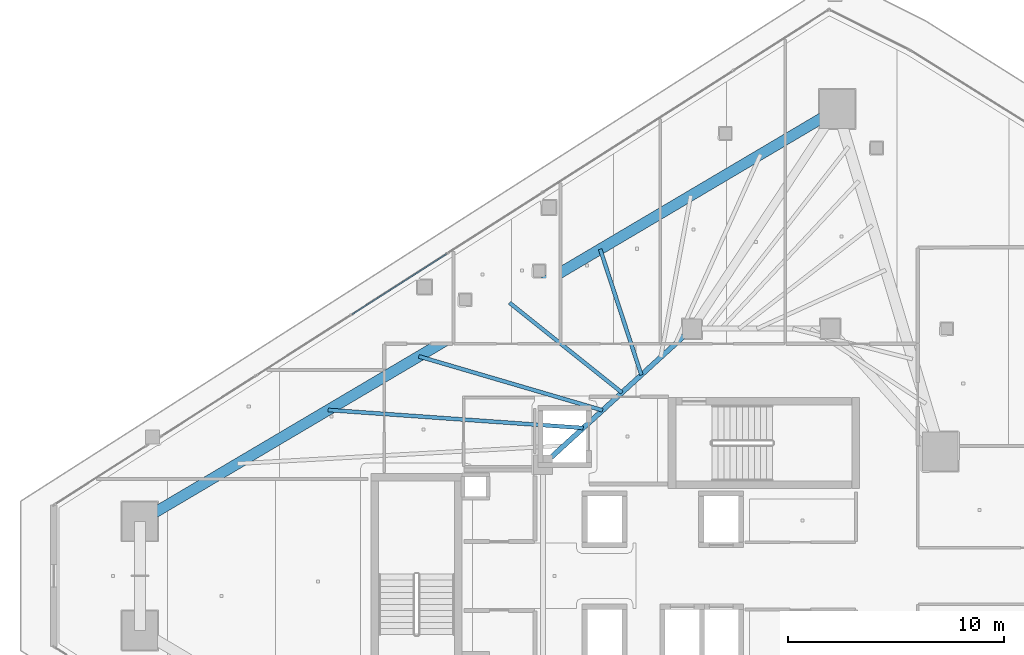
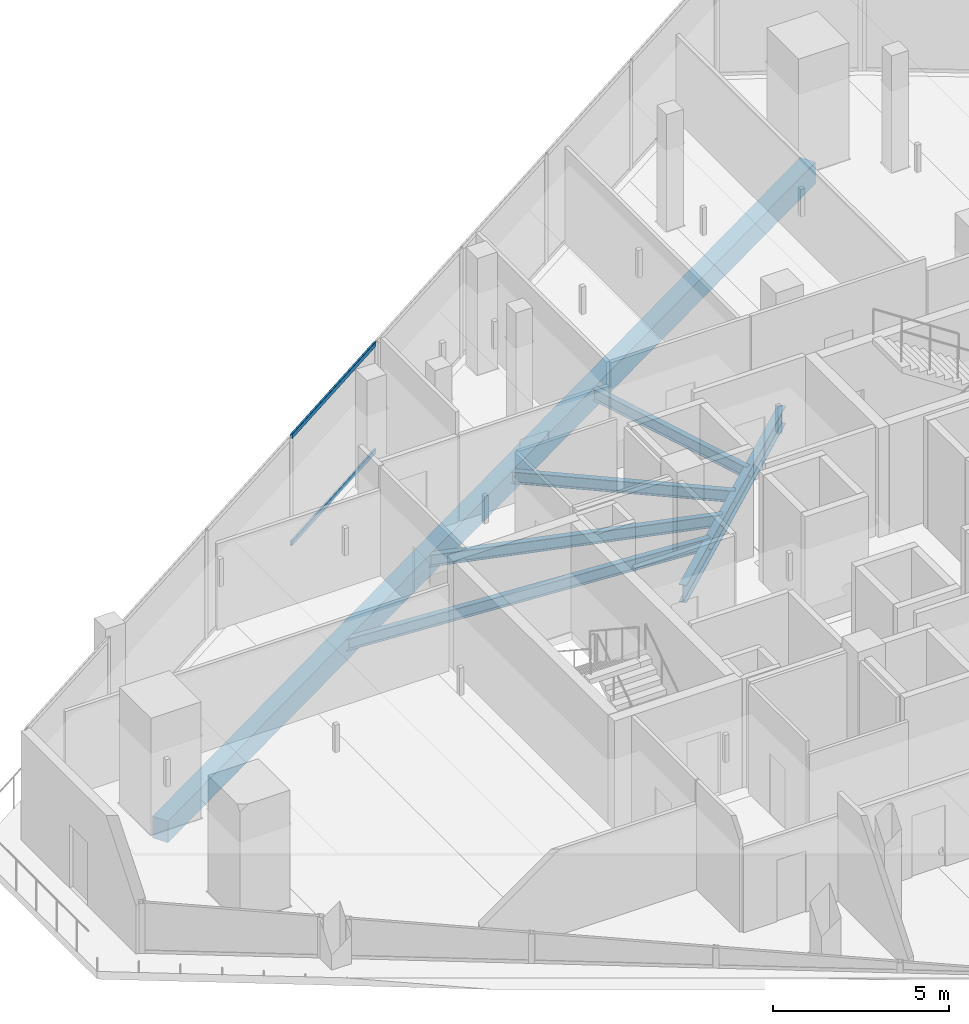
# One storey, part 14 of 33: 6 beams, 2 members, 1 element without a shape of its own.
"""IFC4 building model written with IfcOpenShell, lengths in metres."""

from ifc_helpers import new_model, si_unit, direction, frame, origin, origin_2d, place, context, subcontext, project, spatial, rectangle, hollow_rectangle, i_section, extrude, material, layer, layer_set, material_profile, profile_set, type_object, element, aggregate, save


model = new_model("IFC4")

# Units and contexts
model_context = context("Model", 3, precision=1e-05, world=origin(), true_north=direction((0.0, 1.0)))
body_context = subcontext(model_context, "Body", "Model", "MODEL_VIEW")
ifc_project = project(units=[si_unit("LENGTHUNIT", "METRE"), si_unit("AREAUNIT", "SQUARE_METRE"), si_unit("VOLUMEUNIT", "CUBIC_METRE"), si_unit("PLANEANGLEUNIT", "RADIAN"), si_unit("MASSUNIT", "GRAM", prefix="KILO")], contexts=[model_context])

# Site, building, storey
site_placement = place(None, origin())
site = spatial("IfcSite", under=ifc_project, at=site_placement, CompositionType="ELEMENT")
building_placement = place(site_placement, origin())
building = spatial("IfcBuilding", under=site, at=building_placement, Name="Qorvath Tower", CompositionType="ELEMENT")
storey_placement = place(building_placement, frame((0.0, 0.0, 237.449951171875)))
storey = spatial("IfcBuildingStorey", under=building, at=storey_placement, Name="L55", CompositionType="ELEMENT", Elevation=237.449951171875)

# Beams
ifc_material_1 = material(Name="Steel ASTM A992 Grade 50", Category="steel")
ifc_material_profile_1 = material_profile(ifc_material_1, i_section(OverallWidth=0.22998046875, OverallDepth=0.616943359375, WebThickness=0.01318359375, FlangeThickness=0.022216796875, FilletRadius=0.014892578125, at=origin_2d()), Name="W24x94")
ifc_profile_set_1 = profile_set([ifc_material_profile_1], Name="Steel ASTM A992 Grade 50")
beam_type_1 = type_object("IfcBeamType", Name="BM-FG6", PredefinedType="BEAM", material=ifc_profile_set_1)
beam_1_placement = place(storey_placement, frame((-30.5, 5.14990234375, -0.57861328125), z_axis=(0.73847813985, 0.6742774184, 0.0), x_axis=(-0.6742774184, 0.73847813985, 0.0)))
element("IfcBeam", 1, at=beam_1_placement, inside=storey, type_object=beam_type_1, Name="Core Ring Girder CC5-CC1 L55", PredefinedType="BEAM", context=body_context, shape_type="SweptSolid", body=[
    extrude(i_section(OverallWidth=0.22998046875, OverallDepth=0.616943359375, WebThickness=0.01318359375, FlangeThickness=0.022216796875, FilletRadius=0.014892578125, at=origin_2d()), origin(), (0.0, 0.0, 1.0), 9.343505859375),
])
ifc_material_2 = material(Name="Steel ASTM A992 Grade 50", Category="steel")
ifc_material_profile_2 = material_profile(ifc_material_2, i_section(OverallWidth=0.177978515625, OverallDepth=0.406005859375, WebThickness=0.0078125, FlangeThickness=0.0126953125, FilletRadius=0.010986328125, at=origin_2d()), Name="W16x40")
ifc_profile_set_2 = profile_set([ifc_material_profile_2], Name="Steel ASTM A992 Grade 50")
beam_type_2 = type_object("IfcBeamType", Name="BM-FJ3", PredefinedType="JOIST", material=ifc_profile_set_2)
beam_2_placement = place(storey_placement, frame((-28.636962890625, 6.85107421875, -0.47314453125), z_axis=(-0.997520476731, 0.070376832146, 0.0), x_axis=(-0.070376832146, -0.997520476731, 0.0)))
element("IfcBeam", 2, at=beam_2_placement, inside=storey, type_object=beam_type_2, Name="Composite Floor Joist NW2 L55", PredefinedType="JOIST", context=body_context, shape_type="SweptSolid", body=[
    extrude(i_section(OverallWidth=0.177978515625, OverallDepth=0.406005859375, WebThickness=0.0078125, FlangeThickness=0.0126953125, FilletRadius=0.010986328125, at=origin_2d()), origin(), (0.0, 0.0, 1.0), 11.84326171875),
])
beam_3_placement = place(storey_placement, frame((-27.739990234375, 7.669921875, -0.47314453125), z_axis=(-0.959544992264, 0.281555337049, 0.0), x_axis=(-0.281555337049, -0.959544992264, 0.0)))
element("IfcBeam", 3, at=beam_3_placement, inside=storey, type_object=beam_type_2, Name="Composite Floor Joist NW3 L55", PredefinedType="JOIST", context=body_context, shape_type="SweptSolid", body=[
    extrude(i_section(OverallWidth=0.177978515625, OverallDepth=0.406005859375, WebThickness=0.0078125, FlangeThickness=0.0126953125, FilletRadius=0.010986328125, at=origin_2d()), origin(), (0.0, 0.0, 1.0), 8.87060546875),
])
beam_4_placement = place(storey_placement, frame((-26.843017578125, 8.489013671875, -0.47314453125), z_axis=(-0.781336553339, 0.624109918537, 0.0), x_axis=(-0.624109918537, -0.781336553339, 0.0)))
element("IfcBeam", 4, at=beam_4_placement, inside=storey, type_object=beam_type_2, Name="Composite Floor Joist NW4 L55", PredefinedType="JOIST", context=body_context, shape_type="SweptSolid", body=[
    extrude(i_section(OverallWidth=0.177978515625, OverallDepth=0.406005859375, WebThickness=0.0078125, FlangeThickness=0.0126953125, FilletRadius=0.010986328125, at=origin_2d()), origin(), (0.0, 0.0, 1.0), 6.667724609375),
])
beam_5_placement = place(storey_placement, frame((-25.946044921875, 9.30810546875, -0.47314453125), z_axis=(-0.311228747452, 0.950335028692, 0.0), x_axis=(-0.950335028692, -0.311228747452, 0.0)))
element("IfcBeam", 5, at=beam_5_placement, inside=storey, type_object=beam_type_2, Name="Composite Floor Joist NW5 L55", PredefinedType="JOIST", context=body_context, shape_type="SweptSolid", body=[
    extrude(i_section(OverallWidth=0.177978515625, OverallDepth=0.406005859375, WebThickness=0.0078125, FlangeThickness=0.0126953125, FilletRadius=0.010986328125, at=origin_2d()), origin(), (0.0, 0.0, 1.0), 6.129638671875),
])
ifc_material_3 = material(Name="Concrete C45/55", Category="concrete")
ifc_material_profile_3 = material_profile(ifc_material_3, rectangle(XDim=0.5, YDim=0.75, at=origin_2d()), Name="RCB 750x500")
ifc_profile_set_3 = profile_set([ifc_material_profile_3], Name="Concrete C45/55")
beam_type_3 = type_object("IfcBeamType", Name="BM-RCB3", PredefinedType="SPANDREL", material=ifc_profile_set_3)
beam_6_placement = place(storey_placement, frame((-16.87158203125, 21.627197265625, -0.64501953125), z_axis=(-0.860776759786, -0.50898268125, 0.0), x_axis=(0.50898268125, -0.860776759786, 0.0)))
element("IfcBeam", 6, at=beam_6_placement, inside=storey, type_object=beam_type_3, Name="Perimeter Loggia Frame Beam MC6-MC1 L55", PredefinedType="SPANDREL", context=body_context, shape_type="SweptSolid", body=[
    extrude(rectangle(XDim=0.5, YDim=0.75, at=origin_2d()), origin(), (0.0, 0.0, 1.0), 37.524658203125),
])

# Curtain wall, members
ifc_material_4 = material(Name="Anodised aluminium and triple low-E glass", Category="aluminium")
ifc_layer = layer(ifc_material_4, 0.179931640625)
ifc_layer_set = layer_set([ifc_layer], Name="CW-SYS-3")
curtain_wall_type = type_object("IfcCurtainWallType", Name="CW-SYS-3", PredefinedType="NOTDEFINED", material=ifc_layer_set)
curtain_wall_placement = place(storey_placement, origin())
curtain_wall = element("IfcCurtainWall", 7, at=curtain_wall_placement, inside=storey, type_object=curtain_wall_type, Name="Curtain Wall CW-3 CW-T-L55-16.1", PredefinedType="NOTDEFINED")
ifc_material_5 = material(Name="Anodised aluminium 6063-T6", Category="aluminium")
ifc_material_profile_4 = material_profile(ifc_material_5, hollow_rectangle(XDim=0.06494140625, YDim=0.159912109375, WallThickness=0.00341796875, InnerFilletRadius=0.00341796875, OuterFilletRadius=0.007080078125, at=origin_2d()), Name="CWT 160x65")
ifc_profile_set_4 = profile_set([ifc_material_profile_4], Name="Anodised aluminium 6063-T6")
member_type = type_object("IfcMemberType", Name="CWT-160", PredefinedType="USERDEFINED", material=ifc_profile_set_4)
member_1_placement = place(storey_placement, frame((-34.970947265625, 14.90771484375, 0.032470703125), z_axis=(-0.842606602471, -0.538529584584, 0.0), x_axis=(0.538529584584, -0.842606602471, 0.0)))
member_1 = element("IfcMember", 8, at=member_1_placement, type_object=member_type, Name="CW-3 transom 5.1", ObjectType="TRANSOM", PredefinedType="USERDEFINED", context=body_context, shape_type="SweptSolid", body=[
    extrude(hollow_rectangle(XDim=0.06494140625, YDim=0.159912109375, WallThickness=0.00341796875, InnerFilletRadius=0.00341796875, OuterFilletRadius=0.007080078125, at=origin_2d()), origin(), (0.0, 0.0, 1.0), 5.1826171875),
])
member_2_placement = place(storey_placement, frame((-34.970947265625, 14.90771484375, 3.74755859375), z_axis=(-0.842606602471, -0.538529584584, 0.0), x_axis=(0.538529584584, -0.842606602471, 0.0)))
member_2 = element("IfcMember", 9, at=member_2_placement, type_object=member_type, Name="CW-3 transom 5.2", ObjectType="TRANSOM", PredefinedType="USERDEFINED", context=body_context, shape_type="SweptSolid", body=[
    extrude(hollow_rectangle(XDim=0.06494140625, YDim=0.159912109375, WallThickness=0.00341796875, InnerFilletRadius=0.00341796875, OuterFilletRadius=0.007080078125, at=origin_2d()), origin(), (0.0, 0.0, 1.0), 5.1826171875),
])
aggregate(curtain_wall, [member_1, member_2])

save(model, "model.ifc")
